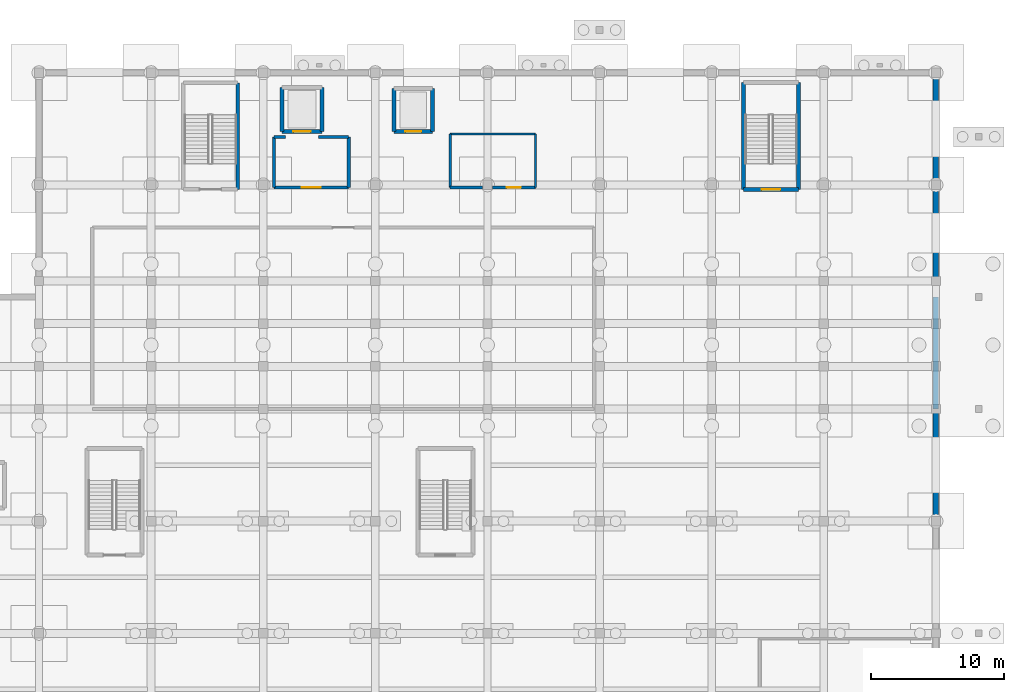
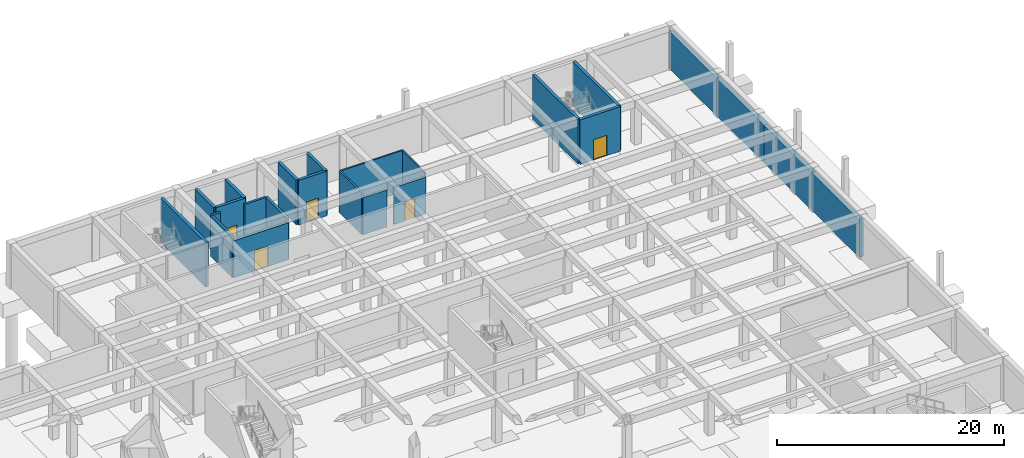
# One storey, part 30 of 51: 24 walls, 5 doors, 5 openings.
"""IFC4 building model written with IfcOpenShell, lengths in metres."""

from ifc_helpers import new_model, si_unit, direction, frame, frame_2d, origin, place, context, subcontext, project, spatial, rectangle, extrude, material, layer, layer_set, type_object, element, fill, save


model = new_model("IFC4")

# Units and contexts
model_context = context("Model", 3, precision=1e-05, world=origin(), true_north=direction((0.0, 1.0)))
body_context = subcontext(model_context, "Body", "Model", "MODEL_VIEW")
ifc_project = project(units=[si_unit("LENGTHUNIT", "METRE"), si_unit("AREAUNIT", "SQUARE_METRE"), si_unit("VOLUMEUNIT", "CUBIC_METRE"), si_unit("PLANEANGLEUNIT", "RADIAN"), si_unit("MASSUNIT", "GRAM", prefix="KILO")], contexts=[model_context])

# Site, building, storey
site_placement = place(None, origin())
site = spatial("IfcSite", under=ifc_project, at=site_placement, CompositionType="ELEMENT")
building_placement = place(site_placement, origin())
building = spatial("IfcBuilding", under=site, at=building_placement, Name="Varncliffe General Hospital", CompositionType="ELEMENT")
storey_placement = place(building_placement, frame((0.0, 0.0, -4.800048828125)))
storey = spatial("IfcBuildingStorey", under=building, at=storey_placement, Name="B1", CompositionType="ELEMENT", Elevation=-4.800048828125)

# Walls
ifc_material_1 = material(Name="Concrete C40/50 (CSA A23.1 40 MPa)", Category="concrete")
ifc_layer_1 = layer(ifc_material_1, 0.419921875)
ifc_layer_set_1 = layer_set([ifc_layer_1], Name="Concrete C40/50 (CSA A23.1 40 MPa)")
wall_type_1 = type_object("IfcWallType", Name="Exterior Insulated Stucco Wall EW28 (420mm)", PredefinedType="SOLIDWALL", material=ifc_layer_set_1)
wall_1_placement = place(storey_placement, frame((176.39990234375, 124.800048828125, 0.0), z_axis=(0.0, 0.0, 1.0), x_axis=(0.0, -1.0, 0.0)))
element("IfcWall", 1, at=wall_1_placement, inside=storey, type_object=wall_type_1, Name="B1 Perimeter Retaining Wall 36", PredefinedType="SOLIDWALL", context=body_context, shape_type="SweptSolid", body=[
    extrude(rectangle(XDim=8.400146484375, YDim=0.419921875, at=frame_2d((4.2001953125, 0.0))), origin(), (0.0, 0.0, 1.0), 4.050048828125),
])
for number, where, z_axis, x_axis, name in (
    (2, (176.39990234375, 116.39990234375, 0.0), (0.0, 0.0, 1.0), (0.0, -1.0, 0.0), "B1 Perimeter Retaining Wall 37"),
    (3, (176.39990234375, 108.0, 0.0), (0.0, 0.0, 1.0), (0.0, -1.0, 0.0), "B1 Perimeter Retaining Wall 38"),
):
    element("IfcWall", number, at=place(storey_placement, frame(where, z_axis=z_axis, x_axis=x_axis)), inside=storey, type_object=wall_type_1, Name=name, PredefinedType="SOLIDWALL", context=body_context, shape_type="SweptSolid", body=[
        extrude(rectangle(XDim=8.39990234375, YDim=0.419921875, at=frame_2d((4.199951171875, 0.0))), origin(), (0.0, 0.0, 1.0), 4.050048828125),
    ])
wall_2_placement = place(storey_placement, frame((176.39990234375, 99.60009765625, 0.0), z_axis=(0.0, 0.0, 1.0), x_axis=(0.0, -1.0, 0.0)))
element("IfcWall", 4, at=wall_2_placement, inside=storey, type_object=wall_type_1, Name="B1 Perimeter Retaining Wall 39", PredefinedType="SOLIDWALL", context=body_context, shape_type="SweptSolid", body=[
    extrude(rectangle(XDim=8.400146484375, YDim=0.419921875, at=frame_2d((4.2001953125, 0.0))), origin(), (0.0, 0.0, 1.0), 4.050048828125),
])

# Wall, opening, door
ifc_material_2 = material(Name="Fire-rated gypsum and mineral-wool partition assembly", Category="gypsum")
ifc_layer_2 = layer(ifc_material_2, 0.25)
ifc_layer_set_2 = layer_set([ifc_layer_2], Name="Fire-rated gypsum and mineral-wool partition assembly")
wall_type_2 = type_object("IfcWallType", Name="Interior Partitioning PW38 (250mm)", PredefinedType="PARTITIONING", material=ifc_layer_set_2)
wall_3_placement = place(storey_placement, frame((126.800048828125, 116.199951171875, 0.0), z_axis=(0.0, 0.0, 1.0), x_axis=(1.0, 0.0, 0.0)))
wall_3 = element("IfcWall", 5, at=wall_3_placement, inside=storey, type_object=wall_type_2, Name="B1 Interior Partition Wall PW38-33", PredefinedType="PARTITIONING", context=body_context, shape_type="SweptSolid", body=[
    extrude(rectangle(XDim=5.599853515625, YDim=0.25, at=frame_2d((2.7998046875, 0.0))), origin(), (0.0, 0.0, 1.0), 3.985107421875),
])
opening_1_placement = place(wall_3_placement, frame((2.10009765625, 0.0, 0.0)))
opening_1 = element("IfcOpeningElement", 6, at=opening_1_placement, cuts=wall_3, Name="Opening DF81", PredefinedType="OPENING", context=body_context, shape_type="SweptSolid", body=[
    extrude(rectangle(XDim=1.39990234375, YDim=2.199951171875, at=frame_2d((0.699951171875, 1.10009765625))), frame((0.0, 0.135009765625, 0.0), z_axis=(0.0, -1.0, 0.0), x_axis=(1.0, 0.0, 0.0)), (0.0, 0.0, 1.0), 0.27001953125),
])
ifc_material_3 = material(Name="Fire-rated hospital steel-frame vision-panel door", Category="steel")
door_type_1 = type_object("IfcDoorType", Name="Interior Hospital Door DF81 (1400x2200)", OperationType="NOTDEFINED", PredefinedType="DOOR", material=ifc_material_3)
door_1_placement = place(opening_1_placement, origin())
door_1 = element("IfcDoor", 7, at=door_1_placement, inside=storey, type_object=door_type_1, Name="B1 Firefighting Lift Lobby LF03 Door", OperationType="SINGLE_SWING_RIGHT", OverallHeight=2.199951171875, OverallWidth=1.39990234375, PredefinedType="DOOR", context=body_context, shape_type="SweptSolid", body=[
    extrude(rectangle(XDim=1.39990234375, YDim=2.199951171875, at=frame_2d((0.699951171875, 1.10009765625))), frame((0.0, 0.02490234375, 0.0), z_axis=(0.0, -1.0, 0.0), x_axis=(1.0, 0.0, 0.0)), (0.0, 0.0, 1.0), 0.050048828125),
])
fill(opening_1, door_1)

# Walls
wall_4_placement = place(storey_placement, frame((132.39990234375, 116.199951171875, 0.0), z_axis=(0.0, 0.0, 1.0), x_axis=(0.0, 1.0, 0.0)))
element("IfcWall", 8, at=wall_4_placement, inside=storey, type_object=wall_type_2, Name="B1 Interior Partition Wall PW38-61", PredefinedType="PARTITIONING", context=body_context, shape_type="SweptSolid", body=[
    extrude(rectangle(XDim=3.800048828125, YDim=0.25, at=frame_2d((1.89990234375, 0.0))), origin(), (0.0, 0.0, 1.0), 4.43994140625),
])
ifc_layer_3 = layer(ifc_material_2, 0.22998046875)
ifc_layer_set_3 = layer_set([ifc_layer_3], Name="Fire-rated gypsum and mineral-wool partition assembly")
wall_type_3 = type_object("IfcWallType", Name="Interior Partitioning PW48 (230mm)", PredefinedType="PARTITIONING", material=ifc_layer_set_3)
wall_5_placement = place(storey_placement, frame((130.135986328125, 120.0, 0.0), z_axis=(0.0, 0.0, 1.0), x_axis=(1.0, 0.0, 0.0)))
element("IfcWall", 9, at=wall_5_placement, inside=storey, type_object=wall_type_3, Name="B1 Interior Partition Wall PW48-40", PredefinedType="PARTITIONING", context=body_context, shape_type="SweptSolid", body=[
    extrude(rectangle(XDim=2.263916015625, YDim=0.22998046875, at=frame_2d((1.1318359375, 0.0))), origin(), (0.0, 0.0, 1.0), 4.43994140625),
])
wall_6_placement = place(storey_placement, frame((126.800048828125, 120.0, 0.0), z_axis=(0.0, 0.0, 1.0), x_axis=(1.0, 0.0, 0.0)))
element("IfcWall", 10, at=wall_6_placement, inside=storey, type_object=wall_type_3, Name="B1 Interior Partition Wall PW48-41", PredefinedType="PARTITIONING", context=body_context, shape_type="SweptSolid", body=[
    extrude(rectangle(XDim=0.864013671875, YDim=0.22998046875, at=frame_2d((0.43212890625, 0.0))), origin(), (0.0, 0.0, 1.0), 4.43994140625),
])
wall_7_placement = place(storey_placement, frame((126.800048828125, 116.199951171875, 0.0), z_axis=(0.0, 0.0, 1.0), x_axis=(0.0, 1.0, 0.0)))
element("IfcWall", 11, at=wall_7_placement, inside=storey, type_object=wall_type_3, Name="B1 Interior Partition Wall PW48-60", PredefinedType="PARTITIONING", context=body_context, shape_type="SweptSolid", body=[
    extrude(rectangle(XDim=3.800048828125, YDim=0.22998046875, at=frame_2d((1.89990234375, 0.0))), origin(), (0.0, 0.0, 1.0), 4.43994140625),
])

# Wall, opening, door
ifc_layer_4 = layer(ifc_material_2, 0.199951171875)
ifc_layer_set_4 = layer_set([ifc_layer_4], Name="Fire-rated gypsum and mineral-wool partition assembly")
wall_type_4 = type_object("IfcWallType", Name="Interior Partitioning PW63 (200mm)", PredefinedType="PARTITIONING", material=ifc_layer_set_4)
wall_8_placement = place(storey_placement, frame((143.1650390625, 116.199951171875, 0.0), z_axis=(0.0, 0.0, 1.0), x_axis=(1.0, 0.0, 0.0)))
wall_8 = element("IfcWall", 12, at=wall_8_placement, inside=storey, type_object=wall_type_4, Name="B1 Interior Partition Wall PW63-34", PredefinedType="PARTITIONING", context=body_context, shape_type="SweptSolid", body=[
    extrude(rectangle(XDim=3.23486328125, YDim=0.199951171875, at=frame_2d((1.617431640625, 0.0))), origin(), (0.0, 0.0, 1.0), 3.985107421875),
])
opening_2_placement = place(wall_8_placement, frame((1.097412109375, 0.0, 0.0)))
opening_2 = element("IfcOpeningElement", 13, at=opening_2_placement, cuts=wall_8, Name="Opening DI77", PredefinedType="OPENING", context=body_context, shape_type="SweptSolid", body=[
    extrude(rectangle(XDim=1.0400390625, YDim=2.10009765625, at=frame_2d((0.52001953125, 1.050048828125))), frame((0.0, 0.10986328125, 0.0), z_axis=(0.0, -1.0, 0.0), x_axis=(1.0, 0.0, 0.0)), (0.0, 0.0, 1.0), 0.219970703125),
])
ifc_material_4 = material(Name="Solid-core antimicrobial hospital oak veneer door", Category="wood")
door_type_2 = type_object("IfcDoorType", Name="Interior Hospital Door DI77 (1040x2100)", OperationType="NOTDEFINED", PredefinedType="DOOR", material=ifc_material_4)
door_2_placement = place(opening_2_placement, origin())
door_2 = element("IfcDoor", 14, at=door_2_placement, inside=storey, type_object=door_type_2, Name="B1 Staff WC and Locker Room B1-E Door", OperationType="SINGLE_SWING_LEFT", OverallHeight=2.10009765625, OverallWidth=1.0400390625, PredefinedType="DOOR", context=body_context, shape_type="SweptSolid", body=[
    extrude(rectangle(XDim=1.0400390625, YDim=2.10009765625, at=frame_2d((0.52001953125, 1.050048828125))), frame((0.0, 0.02490234375, 0.0), z_axis=(0.0, -1.0, 0.0), x_axis=(1.0, 0.0, 0.0)), (0.0, 0.0, 1.0), 0.050048828125),
])
fill(opening_2, door_2)

# Walls
wall_9_placement = place(storey_placement, frame((140.0, 116.199951171875, 0.0), z_axis=(0.0, 0.0, 1.0), x_axis=(1.0, 0.0, 0.0)))
element("IfcWall", 15, at=wall_9_placement, inside=storey, type_object=wall_type_4, Name="B1 Interior Partition Wall PW63-35", PredefinedType="PARTITIONING", context=body_context, shape_type="SweptSolid", body=[
    extrude(rectangle(XDim=2.43505859375, YDim=0.199951171875, at=frame_2d((1.217529296875, 0.0))), origin(), (0.0, 0.0, 1.0), 3.985107421875),
])
ifc_material_5 = material(Name="Moisture-resistant plumbing chase wall assembly", Category="gypsum")
ifc_layer_5 = layer(ifc_material_5, 0.18994140625)
ifc_layer_set_5 = layer_set([ifc_layer_5], Name="Moisture-resistant plumbing chase wall assembly")
wall_type_5 = type_object("IfcWallType", Name="Interior Plumbingwall MW17 (190mm)", PredefinedType="PLUMBINGWALL", material=ifc_layer_set_5)
wall_10_placement = place(storey_placement, frame((140.0, 116.199951171875, 0.0), z_axis=(0.0, 0.0, 1.0), x_axis=(0.0, 1.0, 0.0)))
element("IfcWall", 16, at=wall_10_placement, inside=storey, type_object=wall_type_5, Name="B1 Interior Plumbing Wall MW17-62", PredefinedType="PLUMBINGWALL", context=body_context, shape_type="SweptSolid", body=[
    extrude(rectangle(XDim=4.0, YDim=0.18994140625, at=frame_2d((2.0, 0.0))), origin(), (0.0, 0.0, 1.0), 4.43994140625),
])
ifc_layer_6 = layer(ifc_material_5, 0.159912109375)
ifc_layer_set_6 = layer_set([ifc_layer_6], Name="Moisture-resistant plumbing chase wall assembly")
wall_type_6 = type_object("IfcWallType", Name="Interior Plumbingwall MW31 (160mm)", PredefinedType="PLUMBINGWALL", material=ifc_layer_set_6)
wall_11_placement = place(storey_placement, frame((140.0, 120.199951171875, 0.0), z_axis=(0.0, 0.0, 1.0), x_axis=(1.0, 0.0, 0.0)))
element("IfcWall", 17, at=wall_11_placement, inside=storey, type_object=wall_type_6, Name="B1 Interior Plumbing Wall MW31-43", PredefinedType="PLUMBINGWALL", context=body_context, shape_type="SweptSolid", body=[
    extrude(rectangle(XDim=6.39990234375, YDim=0.159912109375, at=frame_2d((3.199951171875, 0.0))), origin(), (0.0, 0.0, 1.0), 4.43994140625),
])
wall_12_placement = place(storey_placement, frame((146.39990234375, 116.199951171875, 0.0), z_axis=(0.0, 0.0, 1.0), x_axis=(0.0, 1.0, 0.0)))
element("IfcWall", 18, at=wall_12_placement, inside=storey, type_object=wall_type_6, Name="B1 Interior Plumbing Wall MW31-63", PredefinedType="PLUMBINGWALL", context=body_context, shape_type="SweptSolid", body=[
    extrude(rectangle(XDim=4.0, YDim=0.159912109375, at=frame_2d((2.0, 0.0))), origin(), (0.0, 0.0, 1.0), 4.43994140625),
])
ifc_layer_7 = layer(ifc_material_1, 0.300048828125)
ifc_layer_set_7 = layer_set([ifc_layer_7], Name="Concrete C40/50 (CSA A23.1 40 MPa)")
wall_type_7 = type_object("IfcWallType", Name="Reinforced Concrete Core Shear Wall CW12 (300mm)", PredefinedType="SHEAR", material=ifc_layer_set_7)
for number, where, z_axis, x_axis, name in (
    (19, (166.10009765625, 116.050048828125, 0.0), (0.0, 0.0, 1.0), (0.0, 1.0, 0.0), "B1 ST04 Core Shear Wall L"),
    (20, (162.0, 124.050048828125, 0.0), (0.0, 0.0, 1.0), (0.0, -1.0, 0.0), "B1 ST04 Core Shear Wall R"),
):
    element("IfcWall", number, at=place(storey_placement, frame(where, z_axis=z_axis, x_axis=x_axis)), inside=storey, type_object=wall_type_7, Name=name, PredefinedType="SHEAR", context=body_context, shape_type="SweptSolid", body=[
        extrude(rectangle(XDim=8.0, YDim=0.300048828125, at=frame_2d((4.0, 0.0))), origin(), (0.0, 0.0, 1.0), 4.800048828125),
    ])

# Wall, opening, door
wall_13_placement = place(storey_placement, frame((162.0, 116.050048828125, 0.0), z_axis=(0.0, 0.0, 1.0), x_axis=(1.0, 0.0, 0.0)))
wall_13 = element("IfcWall", 21, at=wall_13_placement, inside=storey, type_object=wall_type_7, Name="B1 ST04 Core Shear Wall N", PredefinedType="SHEAR", context=body_context, shape_type="SweptSolid", body=[
    extrude(rectangle(XDim=4.10009765625, YDim=0.300048828125, at=frame_2d((2.050048828125, 0.0))), origin(), (0.0, 0.0, 1.0), 4.800048828125),
])
opening_3_placement = place(wall_13_placement, frame((1.35009765625, 0.0, 0.0)))
opening_3 = element("IfcOpeningElement", 22, at=opening_3_placement, cuts=wall_13, Name="Opening DF81", PredefinedType="OPENING", context=body_context, shape_type="SweptSolid", body=[
    extrude(rectangle(XDim=1.39990234375, YDim=2.199951171875, at=frame_2d((0.699951171875, 1.10009765625))), frame((0.0, 0.16015625, 0.0), z_axis=(0.0, -1.0, 0.0), x_axis=(1.0, 0.0, 0.0)), (0.0, 0.0, 1.0), 0.320068359375),
])
door_3_placement = place(opening_3_placement, frame((1.39990234375, 0.0, 0.0), z_axis=(0.0, 0.0, 1.0), x_axis=(-1.0, 0.0, 0.0)))
door_3 = element("IfcDoor", 23, at=door_3_placement, inside=storey, type_object=door_type_1, Name="B1 ST04 Protected Exit Stair Door", OperationType="SINGLE_SWING_RIGHT", OverallHeight=2.199951171875, OverallWidth=1.39990234375, PredefinedType="DOOR", context=body_context, shape_type="SweptSolid", body=[
    extrude(rectangle(XDim=1.39990234375, YDim=2.199951171875, at=frame_2d((0.699951171875, 1.10009765625))), frame((0.0, 0.02490234375, 0.0), z_axis=(0.0, -1.0, 0.0), x_axis=(1.0, 0.0, 0.0)), (0.0, 0.0, 1.0), 0.050048828125),
])
fill(opening_3, door_3)

wall_14_placement = place(storey_placement, frame((127.39990234375, 120.39990234375, 0.0), z_axis=(0.0, 0.0, 1.0), x_axis=(1.0, 0.0, 0.0)))
wall_14 = element("IfcWall", 24, at=wall_14_placement, inside=storey, type_object=wall_type_7, Name="B1 LF03 Elevator Shaft Wall South", PredefinedType="SHEAR", context=body_context, shape_type="SweptSolid", body=[
    extrude(rectangle(XDim=3.0, YDim=0.300048828125, at=frame_2d((1.5, 0.0))), origin(), (0.0, 0.0, 1.0), 4.800048828125),
])
opening_4_placement = place(wall_14_placement, frame((0.85009765625, 0.0, 0.0)))
opening_4 = element("IfcOpeningElement", 25, at=opening_4_placement, cuts=wall_14, Name="Opening LD02", PredefinedType="OPENING", context=body_context, shape_type="SweptSolid", body=[
    extrude(rectangle(XDim=1.300048828125, YDim=2.199951171875, at=frame_2d((0.64990234375, 1.10009765625))), frame((0.0, 0.16015625, 0.0), z_axis=(0.0, -1.0, 0.0), x_axis=(1.0, 0.0, 0.0)), (0.0, 0.0, 1.0), 0.320068359375),
])
ifc_material_6 = material(Name="Brushed stainless-steel sliding elevator landing door", Category="steel")
door_type_3 = type_object("IfcDoorType", Name="Lift Landing Door LD02 (1300x2200)", OperationType="DOUBLE_DOOR_SLIDING", PredefinedType="DOOR", material=ifc_material_6)
door_4_placement = place(opening_4_placement, origin())
door_4 = element("IfcDoor", 26, at=door_4_placement, inside=storey, type_object=door_type_3, Name="Lift Landing Door LF03 B1", OperationType="DOUBLE_DOOR_SLIDING", OverallHeight=2.199951171875, OverallWidth=1.300048828125, PredefinedType="DOOR", context=body_context, shape_type="SweptSolid", body=[
    extrude(rectangle(XDim=1.300048828125, YDim=2.199951171875, at=frame_2d((0.64990234375, 1.10009765625))), frame((0.0, 0.02490234375, 0.0), z_axis=(0.0, -1.0, 0.0), x_axis=(1.0, 0.0, 0.0)), (0.0, 0.0, 1.0), 0.050048828125),
])
fill(opening_4, door_4)

# Walls
for number, where, z_axis, x_axis, name in (
    (27, (130.39990234375, 120.39990234375, 0.0), (0.0, 0.0, 1.0), (0.0, 1.0, 0.0), "B1 LF03 Elevator Shaft Wall East"),
    (28, (127.39990234375, 123.699951171875, 0.0), (0.0, 0.0, 1.0), (0.0, -1.0, 0.0), "B1 LF03 Elevator Shaft Wall West"),
):
    element("IfcWall", number, at=place(storey_placement, frame(where, z_axis=z_axis, x_axis=x_axis)), inside=storey, type_object=wall_type_7, Name=name, PredefinedType="SHEAR", context=body_context, shape_type="SweptSolid", body=[
        extrude(rectangle(XDim=3.300048828125, YDim=0.300048828125, at=frame_2d((1.64990234375, 0.0))), origin(), (0.0, 0.0, 1.0), 4.800048828125),
    ])

# Wall, opening, door
wall_15_placement = place(storey_placement, frame((135.800048828125, 120.39990234375, 0.0), z_axis=(0.0, 0.0, 1.0), x_axis=(1.0, 0.0, 0.0)))
wall_15 = element("IfcWall", 29, at=wall_15_placement, inside=storey, type_object=wall_type_7, Name="B1 LF05 Elevator Shaft Wall South", PredefinedType="SHEAR", context=body_context, shape_type="SweptSolid", body=[
    extrude(rectangle(XDim=2.89990234375, YDim=0.300048828125, at=frame_2d((1.449951171875, 0.0))), origin(), (0.0, 0.0, 1.0), 4.800048828125),
])
opening_5_placement = place(wall_15_placement, frame((0.85009765625, 0.0, 0.0)))
opening_5 = element("IfcOpeningElement", 30, at=opening_5_placement, cuts=wall_15, Name="Opening LD01", PredefinedType="OPENING", context=body_context, shape_type="SweptSolid", body=[
    extrude(rectangle(XDim=1.199951171875, YDim=2.199951171875, at=frame_2d((0.60009765625, 1.10009765625))), frame((0.0, 0.16015625, 0.0), z_axis=(0.0, -1.0, 0.0), x_axis=(1.0, 0.0, 0.0)), (0.0, 0.0, 1.0), 0.320068359375),
])
door_type_4 = type_object("IfcDoorType", Name="Lift Landing Door LD01 (1200x2200)", OperationType="DOUBLE_DOOR_SLIDING", PredefinedType="DOOR", material=ifc_material_6)
door_5_placement = place(opening_5_placement, origin())
door_5 = element("IfcDoor", 31, at=door_5_placement, inside=storey, type_object=door_type_4, Name="Lift Landing Door LF05 B1", OperationType="DOUBLE_DOOR_SLIDING", OverallHeight=2.199951171875, OverallWidth=1.199951171875, PredefinedType="DOOR", context=body_context, shape_type="SweptSolid", body=[
    extrude(rectangle(XDim=1.199951171875, YDim=2.199951171875, at=frame_2d((0.60009765625, 1.10009765625))), frame((0.0, 0.02490234375, 0.0), z_axis=(0.0, -1.0, 0.0), x_axis=(1.0, 0.0, 0.0)), (0.0, 0.0, 1.0), 0.050048828125),
])
fill(opening_5, door_5)

# Walls
for number, where, z_axis, x_axis, name in (
    (32, (138.699951171875, 120.39990234375, 0.0), (0.0, 0.0, 1.0), (0.0, 1.0, 0.0), "B1 LF05 Elevator Shaft Wall East"),
    (33, (135.800048828125, 123.60009765625, 0.0), (0.0, 0.0, 1.0), (0.0, -1.0, 0.0), "B1 LF05 Elevator Shaft Wall West"),
):
    element("IfcWall", number, at=place(storey_placement, frame(where, z_axis=z_axis, x_axis=x_axis)), inside=storey, type_object=wall_type_7, Name=name, PredefinedType="SHEAR", context=body_context, shape_type="SweptSolid", body=[
        extrude(rectangle(XDim=3.2001953125, YDim=0.300048828125, at=frame_2d((1.60009765625, 0.0))), origin(), (0.0, 0.0, 1.0), 4.800048828125),
    ])
ifc_layer_8 = layer(ifc_material_1, 0.280029296875)
ifc_layer_set_8 = layer_set([ifc_layer_8], Name="Concrete C40/50 (CSA A23.1 40 MPa)")
wall_type_8 = type_object("IfcWallType", Name="Reinforced Concrete Core Shear Wall CW13 (280mm)", PredefinedType="SHEAR", material=ifc_layer_set_8)
wall_16_placement = place(storey_placement, frame((124.090087890625, 116.06005859375, 0.0), z_axis=(0.0, 0.0, 1.0), x_axis=(0.0, 1.0, 0.0)))
element("IfcWall", 34, at=wall_16_placement, inside=storey, type_object=wall_type_8, Name="B1 ST03 Core Shear Wall L", PredefinedType="SHEAR", context=body_context, shape_type="SweptSolid", body=[
    extrude(rectangle(XDim=7.97998046875, YDim=0.280029296875, at=frame_2d((3.989990234375, 0.0))), origin(), (0.0, 0.0, 1.0), 4.800048828125),
])

save(model, "model.ifc")
